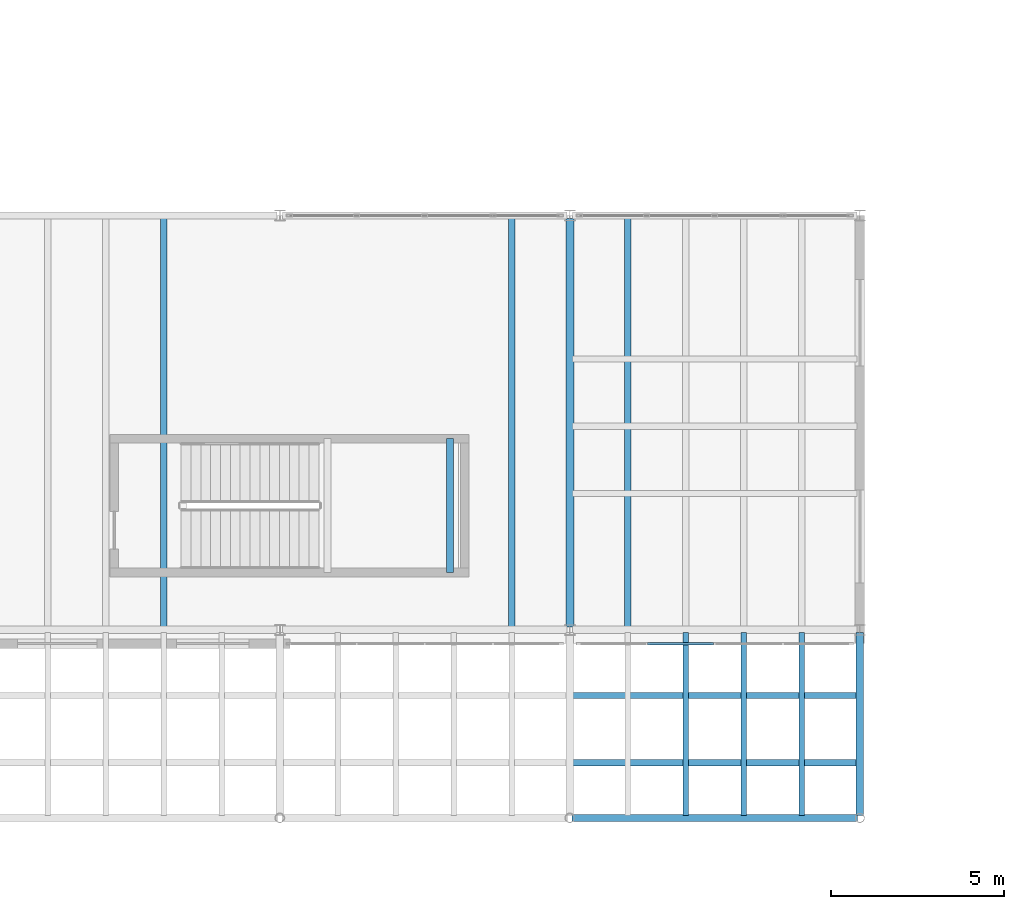
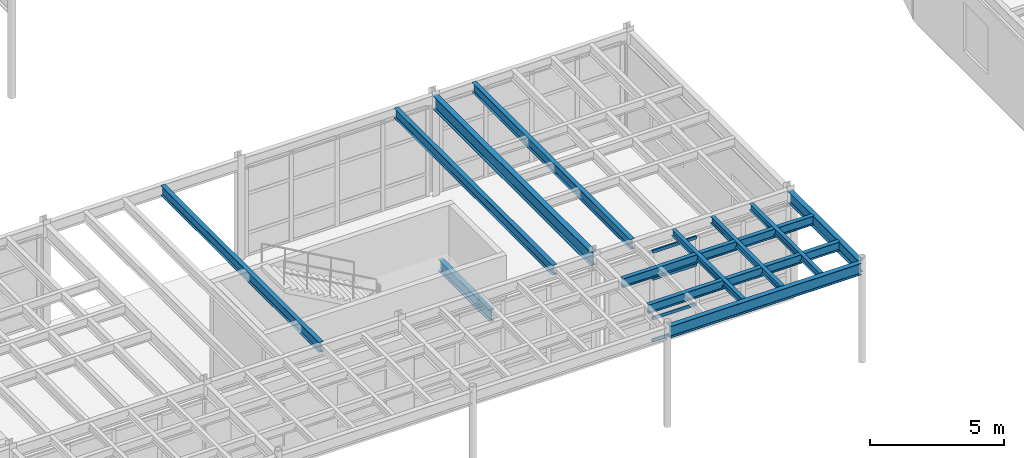
# One storey, part 51 of 116: 12 beams, 4 members, 1 element without a shape of its own.
"""IFC4 building model written with IfcOpenShell, lengths in metres."""

from ifc_helpers import new_model, si_unit, direction, frame, origin, origin_2d, place, context, subcontext, project, spatial, hollow_rectangle, i_section, extrude, material, layer, layer_set, material_profile, profile_set, type_object, element, aggregate, save


model = new_model("IFC4")

# Units and contexts
model_context = context("Model", 3, precision=1e-05, world=origin(), true_north=direction((0.0, 1.0)))
body_context = subcontext(model_context, "Body", "Model", "MODEL_VIEW")
ifc_project = project(units=[si_unit("LENGTHUNIT", "METRE"), si_unit("AREAUNIT", "SQUARE_METRE"), si_unit("VOLUMEUNIT", "CUBIC_METRE"), si_unit("PLANEANGLEUNIT", "RADIAN"), si_unit("MASSUNIT", "GRAM", prefix="KILO")], contexts=[model_context])

# Site, building, storey
site_placement = place(None, origin())
site = spatial("IfcSite", under=ifc_project, at=site_placement, CompositionType="ELEMENT")
building_placement = place(site_placement, origin())
building = spatial("IfcBuilding", under=site, at=building_placement, Name="Selat Folded Stagehouse", CompositionType="ELEMENT")
storey_placement = place(building_placement, frame((0.0, 0.0, 5.39990234375)))
storey = spatial("IfcBuildingStorey", under=building, at=storey_placement, Name="L01", CompositionType="ELEMENT", Elevation=5.39990234375)

# Beams
ifc_material_1 = material(Name="Steel S355", Category="steel")
ifc_material_profile_1 = material_profile(ifc_material_1, i_section(OverallWidth=0.210693359375, OverallDepth=0.53955078125, WebThickness=0.01171875, FlangeThickness=0.018798828125, FilletRadius=0.0126953125, at=origin_2d()), Name="UKB 533x210x109")
ifc_profile_set_1 = profile_set([ifc_material_profile_1], Name="Steel S355")
beam_type_1 = type_object("IfcBeamType", Name="BM-GIRD-533x210x109", PredefinedType="BEAM", material=ifc_profile_set_1)
beam_1_placement = place(storey_placement, frame((117.60009765625, 0.418212890625, 4.290283203125), z_axis=(0.0, 1.0, 0.0), x_axis=(-1.0, 0.0, 0.0)))
element("IfcBeam", 1, at=beam_1_placement, inside=storey, type_object=beam_type_1, Name="L01 primary y-girder 0839", PredefinedType="BEAM", context=body_context, shape_type="SweptSolid", body=[
    extrude(i_section(OverallWidth=0.210693359375, OverallDepth=0.53955078125, WebThickness=0.01171875, FlangeThickness=0.018798828125, FilletRadius=0.0126953125, at=origin_2d()), origin(), (0.0, 0.0, 1.0), 5.3046875),
])
ifc_material_profile_2 = material_profile(ifc_material_1, i_section(OverallWidth=0.209228515625, OverallDepth=0.533203125, WebThickness=0.010009765625, FlangeThickness=0.015625, FilletRadius=0.0126953125, at=origin_2d()), Name="UKB 533x210x92")
ifc_profile_set_2 = profile_set([ifc_material_profile_2], Name="Steel S355")
beam_type_2 = type_object("IfcBeamType", Name="BM-GIRD-533x210x92", PredefinedType="BEAM", material=ifc_profile_set_2)
beam_2_placement = place(storey_placement, frame((109.268310546875, 0.35009765625, 4.293701171875), z_axis=(1.0, 0.0, 0.0), x_axis=(0.0, 1.0, 0.0)))
element("IfcBeam", 2, at=beam_2_placement, inside=storey, type_object=beam_type_2, Name="L01 primary x-girder 0756", PredefinedType="BEAM", context=body_context, shape_type="SweptSolid", body=[
    extrude(i_section(OverallWidth=0.209228515625, OverallDepth=0.533203125, WebThickness=0.010009765625, FlangeThickness=0.015625, FilletRadius=0.0126953125, at=origin_2d()), origin(), (0.0, 0.0, 1.0), 8.263427734375),
])
beam_3_placement = place(storey_placement, frame((105.72998046875, 7.4599609375, 1.93359375), z_axis=(0.0, 1.0, 0.0), x_axis=(-1.0, 0.0, 0.0)))
element("IfcBeam", 3, at=beam_3_placement, inside=storey, type_object=beam_type_2, Name="L01 ST-08 landing support beam 2", PredefinedType="BEAM", context=body_context, shape_type="SweptSolid", body=[
    extrude(i_section(OverallWidth=0.209228515625, OverallDepth=0.533203125, WebThickness=0.010009765625, FlangeThickness=0.015625, FilletRadius=0.0126953125, at=origin_2d()), origin(), (0.0, 0.0, 1.0), 3.880126953125),
])
ifc_material_profile_3 = material_profile(ifc_material_1, i_section(OverallWidth=0.230224609375, OverallDepth=0.6171875, WebThickness=0.01318359375, FlangeThickness=0.022216796875, FilletRadius=0.0126953125, at=origin_2d()), Name="UKB 610x229x140")
ifc_profile_set_3 = profile_set([ifc_material_profile_3], Name="Steel S355")
beam_type_3 = type_object("IfcBeamType", Name="BM-GIRD-610x229x140", PredefinedType="BEAM", material=ifc_profile_set_3)
beam_4_placement = place(storey_placement, frame((109.199951171875, 5.876953125, 4.271484375), z_axis=(0.0, 1.0, 0.0), x_axis=(-1.0, 0.0, 0.0)))
element("IfcBeam", 4, at=beam_4_placement, inside=storey, type_object=beam_type_3, Name="L01 primary y-girder 0838", PredefinedType="BEAM", context=body_context, shape_type="SweptSolid", body=[
    extrude(i_section(OverallWidth=0.230224609375, OverallDepth=0.6171875, WebThickness=0.01318359375, FlangeThickness=0.022216796875, FilletRadius=0.0126953125, at=origin_2d()), origin(), (0.0, 0.0, 1.0), 11.845947265625),
])

# Curtain wall, members
ifc_material_2 = material(Name="Aluminium 6063-T6", Category="aluminium")
ifc_layer = layer(ifc_material_2, 0.2099609375)
ifc_layer_set = layer_set([ifc_layer], Name="Aluminium 6063-T6")
curtain_wall_type = type_object("IfcCurtainWallType", Name="CW-FYR-SOUTH", PredefinedType="NOTDEFINED", material=ifc_layer_set)
curtain_wall_placement = place(storey_placement, origin())
curtain_wall = element("IfcCurtainWall", 5, at=curtain_wall_placement, inside=storey, type_object=curtain_wall_type, Name="L01 curtain wall CW-FYR-L01-06", PredefinedType="NOTDEFINED")
ifc_material_profile_4 = material_profile(ifc_material_2, hollow_rectangle(XDim=0.06494140625, YDim=0.139892578125, WallThickness=0.00390625, at=origin_2d()), Name="ALU 140x65x4.0")
ifc_profile_set_4 = profile_set([ifc_material_profile_4], Name="Aluminium 6063-T6")
member_type = type_object("IfcMemberType", Name="CWM-TRN-140x65", PredefinedType="USERDEFINED", material=ifc_profile_set_4)
member_1_placement = place(storey_placement, frame((113.367431640625, 5.39990234375, 0.03271484375), z_axis=(-1.0, 0.0, 0.0), x_axis=(0.0, -1.0, 0.0)))
member_1 = element("IfcMember", 6, at=member_1_placement, type_object=member_type, Name="CW-04 transom 3.1", ObjectType="TRANSOM", PredefinedType="USERDEFINED", context=body_context, shape_type="SweptSolid", body=[
    extrude(hollow_rectangle(XDim=0.06494140625, YDim=0.139892578125, WallThickness=0.00390625, at=origin_2d()), origin(), (0.0, 0.0, 1.0), 1.909912109375),
])
member_2_placement = place(storey_placement, frame((113.367431640625, 5.39990234375, 1.050048828125), z_axis=(-1.0, 0.0, 0.0), x_axis=(0.0, -1.0, 0.0)))
member_2 = element("IfcMember", 7, at=member_2_placement, type_object=member_type, Name="CW-04 transom 3.2", ObjectType="TRANSOM", PredefinedType="USERDEFINED", context=body_context, shape_type="SweptSolid", body=[
    extrude(hollow_rectangle(XDim=0.06494140625, YDim=0.139892578125, WallThickness=0.00390625, at=origin_2d()), origin(), (0.0, 0.0, 1.0), 1.909912109375),
])
member_3_placement = place(storey_placement, frame((113.367431640625, 5.39990234375, 2.85009765625), z_axis=(-1.0, 0.0, 0.0), x_axis=(0.0, -1.0, 0.0)))
member_3 = element("IfcMember", 8, at=member_3_placement, type_object=member_type, Name="CW-04 transom 3.3", ObjectType="TRANSOM", PredefinedType="USERDEFINED", context=body_context, shape_type="SweptSolid", body=[
    extrude(hollow_rectangle(XDim=0.06494140625, YDim=0.139892578125, WallThickness=0.00390625, at=origin_2d()), origin(), (0.0, 0.0, 1.0), 1.909912109375),
])
member_4_placement = place(storey_placement, frame((113.367431640625, 5.39990234375, 4.087646484375), z_axis=(-1.0, 0.0, 0.0), x_axis=(0.0, -1.0, 0.0)))
member_4 = element("IfcMember", 9, at=member_4_placement, type_object=member_type, Name="CW-04 transom 3.4", ObjectType="TRANSOM", PredefinedType="USERDEFINED", context=body_context, shape_type="SweptSolid", body=[
    extrude(hollow_rectangle(XDim=0.06494140625, YDim=0.139892578125, WallThickness=0.00390625, at=origin_2d()), origin(), (0.0, 0.0, 1.0), 1.909912109375),
])
aggregate(curtain_wall, [member_1, member_2, member_3, member_4])

# Beams
ifc_material_profile_5 = material_profile(ifc_material_1, i_section(OverallWidth=0.1650390625, OverallDepth=0.303466796875, WebThickness=0.006103515625, FlangeThickness=0.01025390625, FilletRadius=0.0087890625, at=origin_2d()), Name="UKB 305x165x40")
ifc_profile_set_5 = profile_set([ifc_material_profile_5], Name="Steel S355")
beam_type_4 = type_object("IfcBeamType", Name="JST-305x165x40", PredefinedType="JOIST", material=ifc_profile_set_5)
for number, where, z_axis, x_axis, name in (
    (10, (112.56005859375, 0.42333984375, 4.408447265625), (0.0, 1.0, 0.0), (-1.0, 0.0, 0.0), "L01 secondary floor joist 0904"),
    (11, (114.239990234375, 0.42333984375, 4.408447265625), (0.0, 1.0, 0.0), (-1.0, 0.0, 0.0), "L01 secondary floor joist 0906"),
    (12, (115.919921875, 0.42333984375, 4.408447265625), (0.0, 1.0, 0.0), (-1.0, 0.0, 0.0), "L01 secondary floor joist 0908"),
):
    element("IfcBeam", number, at=place(storey_placement, frame(where, z_axis=z_axis, x_axis=x_axis)), inside=storey, type_object=beam_type_4, Name=name, PredefinedType="JOIST", context=body_context, shape_type="SweptSolid", body=[
        extrude(i_section(OverallWidth=0.1650390625, OverallDepth=0.303466796875, WebThickness=0.006103515625, FlangeThickness=0.01025390625, FilletRadius=0.0087890625, at=origin_2d()), origin(), (0.0, 0.0, 1.0), 5.303466796875),
    ])
ifc_material_profile_6 = material_profile(ifc_material_1, i_section(OverallWidth=0.177978515625, OverallDepth=0.406494140625, WebThickness=0.0078125, FlangeThickness=0.0126953125, FilletRadius=0.01025390625, at=origin_2d()), Name="UKB 406x178x60")
ifc_profile_set_6 = profile_set([ifc_material_profile_6], Name="Steel S355")
beam_type_5 = type_object("IfcBeamType", Name="JST-406x178x60", PredefinedType="JOIST", material=ifc_profile_set_6)
for number, where, z_axis, x_axis, name in (
    (13, (109.273681640625, 1.949951171875, 4.35693359375), (1.0, 0.0, 0.0), (0.0, 1.0, 0.0), "L01 secondary x-joist 0929"),
    (14, (109.273681640625, 3.89990234375, 4.35693359375), (1.0, 0.0, 0.0), (0.0, 1.0, 0.0), "L01 secondary x-joist 0934"),
):
    element("IfcBeam", number, at=place(storey_placement, frame(where, z_axis=z_axis, x_axis=x_axis)), inside=storey, type_object=beam_type_5, Name=name, PredefinedType="JOIST", context=body_context, shape_type="SweptSolid", body=[
        extrude(i_section(OverallWidth=0.177978515625, OverallDepth=0.406494140625, WebThickness=0.0078125, FlangeThickness=0.0126953125, FilletRadius=0.01025390625, at=origin_2d()), origin(), (0.0, 0.0, 1.0), 8.25244140625),
    ])
ifc_material_profile_7 = material_profile(ifc_material_1, i_section(OverallWidth=0.18994140625, OverallDepth=0.453369140625, WebThickness=0.008544921875, FlangeThickness=0.0126953125, FilletRadius=0.01025390625, at=origin_2d()), Name="UKB 457x191x67")
ifc_profile_set_7 = profile_set([ifc_material_profile_7], Name="Steel S355")
beam_type_6 = type_object("IfcBeamType", Name="JST-457x191x67", PredefinedType="JOIST", material=ifc_profile_set_7)
for number, where, z_axis, x_axis, name in (
    (15, (97.43994140625, 5.873291015625, 4.353515625), (0.0, 1.0, 0.0), (-1.0, 0.0, 0.0), "L01 secondary floor joist 0895"),
    (16, (107.52001953125, 5.873291015625, 4.353515625), (0.0, 1.0, 0.0), (-1.0, 0.0, 0.0), "L01 secondary floor joist 0901"),
    (17, (110.8798828125, 5.873291015625, 4.353515625), (0.0, 1.0, 0.0), (-1.0, 0.0, 0.0), "L01 secondary floor joist 0903"),
):
    element("IfcBeam", number, at=place(storey_placement, frame(where, z_axis=z_axis, x_axis=x_axis)), inside=storey, type_object=beam_type_6, Name=name, PredefinedType="JOIST", context=body_context, shape_type="SweptSolid", body=[
        extrude(i_section(OverallWidth=0.18994140625, OverallDepth=0.453369140625, WebThickness=0.008544921875, FlangeThickness=0.0126953125, FilletRadius=0.01025390625, at=origin_2d()), origin(), (0.0, 0.0, 1.0), 11.853515625),
    ])

save(model, "model.ifc")
